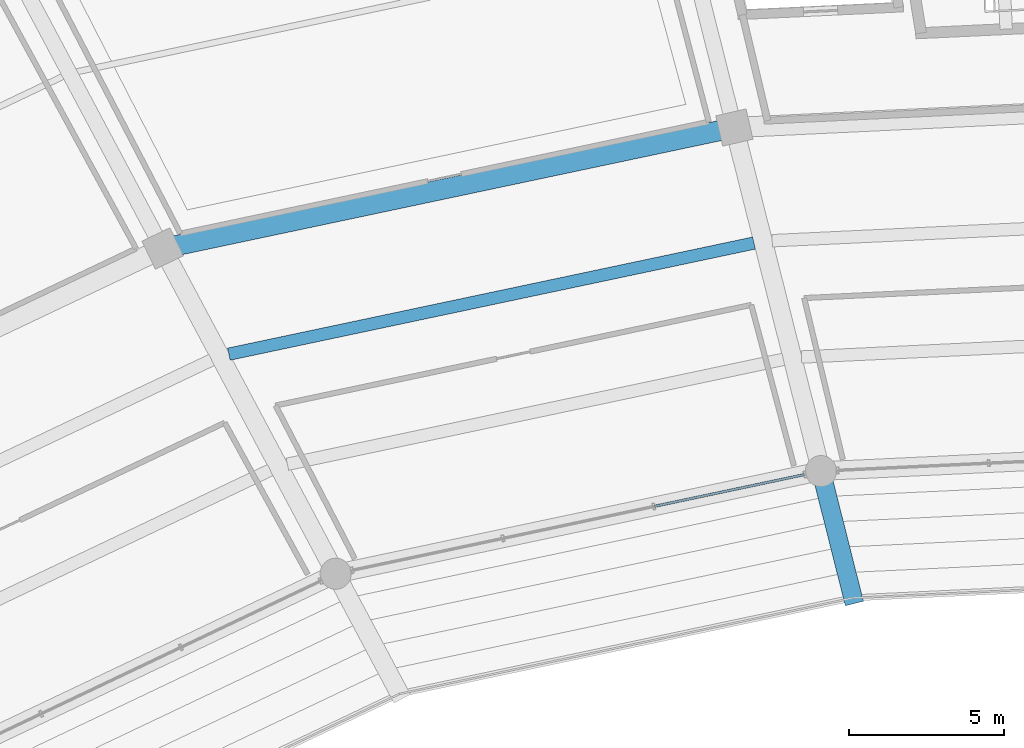
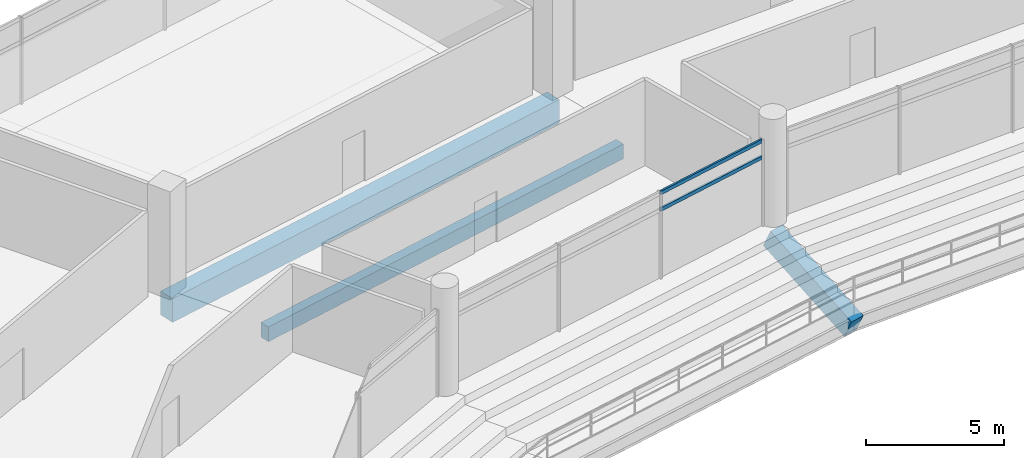
# One storey, part 92 of 171: 3 beams, 2 members, 1 element without a shape of its own.
"""IFC4 building model written with IfcOpenShell, lengths in metres."""

import ifcopenshell
import ifcopenshell.guid

model = None  # the IFC model being written
_history = None  # IfcOwnerHistory: only IFC2X3 demands one
_inside = {}  # id of a spatial element -> (the spatial element, [elements in it])
_under = {}  # id of a project, library or spatial element -> (it, [spatial elements below it])
_declared = {}  # id of a project -> (the project, [libraries it declares])
_typed = {}  # id of a type object -> (the type object, [elements of that type])
_made_of = {}  # id of a material, layer set ... -> (it, [elements and type objects made of it])


def new_model(schema):
    """Start an empty IFC model of exactly this schema.

    Asked for "IFC4X3", IfcOpenShell would pick the latest addendum, in which some entities
    have other attributes; the version numbers below select the first issue.
    IFC2X3 requires an IfcOwnerHistory on every rooted entity: one is made here for all.
    """
    global model, _history
    if schema == "IFC4X3":
        model = ifcopenshell.file(schema_version=(4, 3, 0, 0))
    else:
        model = ifcopenshell.file(schema=schema)
    _inside.clear()
    _under.clear()
    _declared.clear()
    _typed.clear()
    _made_of.clear()
    _history = None
    if model.schema == "IFC2X3":
        org = make("IfcOrganization", Name="unknown")
        user = make(
            "IfcPersonAndOrganization",
            ThePerson=make("IfcPerson", FamilyName="unknown"),
            TheOrganization=org,
        )
        app = make(
            "IfcApplication",
            ApplicationDeveloper=org,
            Version="unknown",
            ApplicationFullName="unknown",
            ApplicationIdentifier="unknown",
        )
        _history = make(
            "IfcOwnerHistory",
            OwningUser=user,
            OwningApplication=app,
            ChangeAction="ADDED",
            CreationDate=0,
        )
    return model


def make(cls, **values):
    """One entity of the class cls with the attributes given. An attribute that is None is left unset."""
    return model.create_entity(
        cls, **{name: value for name, value in values.items() if value is not None}
    )


def rooted(cls, **values):
    """An entity with a GlobalId (a new one), such as an element, a storey or a relation."""
    return make(cls, GlobalId=ifcopenshell.guid.new(), OwnerHistory=_history, **values)


def si_unit(unit_type, name, prefix=None):
    """IfcSIUnit, for example si_unit("LENGTHUNIT", "METRE", prefix="MILLI")."""
    return make("IfcSIUnit", UnitType=unit_type, Prefix=prefix, Name=name)


def assignment(units):
    """IfcUnitAssignment: the units of a project."""
    return None if units is None else make("IfcUnitAssignment", Units=units)


def point(xyz):
    """IfcCartesianPoint."""
    return None if xyz is None else make("IfcCartesianPoint", Coordinates=xyz)


def direction(xyz):
    """IfcDirection."""
    return None if xyz is None else make("IfcDirection", DirectionRatios=xyz)


def frame(location, z_axis=None, x_axis=None):
    """IfcAxis2Placement3D, a coordinate frame: its origin and axes. An axis left out is left unset."""
    return make(
        "IfcAxis2Placement3D",
        Location=point(location),
        Axis=direction(z_axis),
        RefDirection=direction(x_axis),
    )


def frame_2d(location, x_axis=None):
    """IfcAxis2Placement2D, a coordinate frame in the plane: its origin and x axis."""
    return make(
        "IfcAxis2Placement2D", Location=point(location), RefDirection=direction(x_axis)
    )


def origin():
    """The frame at (0, 0, 0) with its axes left unset."""
    return frame((0.0, 0.0, 0.0))


def origin_2d():
    """The frame at (0, 0) in the plane with its x axis left unset."""
    return frame_2d((0.0, 0.0))


def place(relative_to, where):
    """IfcLocalPlacement: puts the frame where relative to a parent placement (None: the world)."""
    return make(
        "IfcLocalPlacement", PlacementRelTo=relative_to, RelativePlacement=where
    )


def context(
    kind, dimensions, precision=None, world=None, true_north=None, identifier=None
):
    """IfcGeometricRepresentationContext, for example the 3D "Model" context."""
    return make(
        "IfcGeometricRepresentationContext",
        ContextIdentifier=identifier,
        ContextType=kind,
        CoordinateSpaceDimension=dimensions,
        Precision=precision,
        WorldCoordinateSystem=world,
        TrueNorth=true_north,
    )


def subcontext(parent, identifier, kind, view, scale=None):
    """IfcGeometricRepresentationSubContext, for example "Body" below "Model"."""
    return make(
        "IfcGeometricRepresentationSubContext",
        ContextIdentifier=identifier,
        ContextType=kind,
        ParentContext=parent,
        TargetScale=scale,
        TargetView=view,
    )


def project(units=None, contexts=None):
    """IfcProject with its units and contexts."""
    return rooted(
        "IfcProject",
        Name="project",
        RepresentationContexts=contexts,
        UnitsInContext=assignment(units),
    )


def spatial(cls, under=None, at=None, **own):
    """A site, building, storey or space (cls), placed at a placement, below another one or the project."""
    s = rooted(cls, ObjectPlacement=at, **own)
    if under is not None:
        _under.setdefault(under.id(), (under, []))[1].append(s)
    return s


def profile(cls, at=None, kind="AREA", **sizes):
    """A parametric profile (cls). Its sizes go by their IFC names, for example OverallWidth=200.0."""
    return make(cls, ProfileType=kind, Position=at, **sizes)


def rectangle(**sizes):
    """IfcRectangleProfileDef."""
    return profile("IfcRectangleProfileDef", **sizes)


def hollow_rectangle(**sizes):
    """IfcRectangleHollowProfileDef."""
    return profile("IfcRectangleHollowProfileDef", **sizes)


def extrude(swept, where, along, depth):
    """IfcExtrudedAreaSolid: the profile swept, set in the frame where, extruded along a direction by depth."""
    return make(
        "IfcExtrudedAreaSolid",
        SweptArea=swept,
        Position=where,
        ExtrudedDirection=direction(along),
        Depth=depth,
    )


def shape(context_of_items, identifier, shape_type, items):
    """IfcShapeRepresentation: the items that make up one representation, for example the "Body"."""
    return make(
        "IfcShapeRepresentation",
        ContextOfItems=context_of_items,
        RepresentationIdentifier=identifier,
        RepresentationType=shape_type,
        Items=items,
    )


def material(Name=None, Category=None):
    """IfcMaterial."""
    return make("IfcMaterial", Name=Name, Category=Category)


def layer(
    of_material, thickness, ventilated=None, Name=None, Category=None, Priority=None
):
    """IfcMaterialLayer: one layer of a wall or slab, of a material (None: an air gap)."""
    return make(
        "IfcMaterialLayer",
        Material=of_material,
        LayerThickness=thickness,
        IsVentilated=ventilated,
        Name=Name,
        Category=Category,
        Priority=Priority,
    )


def layer_set(layers, Name=None):
    """IfcMaterialLayerSet."""
    return make("IfcMaterialLayerSet", MaterialLayers=layers, LayerSetName=Name)


def material_profile(
    of_material, cross_section, Name=None, Category=None, Priority=None
):
    """IfcMaterialProfile: a cross section and its material."""
    return make(
        "IfcMaterialProfile",
        Name=Name,
        Material=of_material,
        Profile=cross_section,
        Priority=Priority,
        Category=Category,
    )


def profile_set(profiles, Name=None, composite=None):
    """IfcMaterialProfileSet."""
    return make(
        "IfcMaterialProfileSet",
        Name=Name,
        MaterialProfiles=profiles,
        CompositeProfile=composite,
    )


def made_of(thing, what):
    """Note that an element or type object is made of a material, layer set ...; save() writes the relation."""
    if what is not None:
        _made_of.setdefault(what.id(), (what, []))[1].append(thing)
    return thing


def type_object(cls, material=None, **own):
    """A type object (cls), such as IfcWallType, which elements share."""
    return made_of(rooted(cls, **own), material)


def element(
    cls,
    number,
    at=None,
    inside=None,
    cuts=None,
    type_object=None,
    material=None,
    context=None,
    identifier="Body",
    shape_type=None,
    held_by="IfcProductDefinitionShape",
    body=None,
    shapes=None,
    **own,
):
    """One element of the class cls, such as IfcWall. Its Tag is "e" and its number.

    at: its placement. inside: the storey or other place that contains it. cuts: it is an
    opening in that element (IfcRelVoidsElement). A single representation is given by context,
    identifier, shape_type and body (its items); several are given by shapes. held_by: the class
    of the entity that holds the representations. save() writes the other relations.
    """
    e = rooted(cls, Tag="e%d" % number, ObjectPlacement=at, **own)
    if body is not None:
        shapes = [shape(context, identifier, shape_type, body)]
    if shapes is not None:
        e.Representation = make(held_by, Representations=shapes)
    if inside is not None:
        _inside.setdefault(inside.id(), (inside, []))[1].append(e)
    if cuts is not None:
        rooted(
            "IfcRelVoidsElement", RelatingBuildingElement=cuts, RelatedOpeningElement=e
        )
    if type_object is not None:
        _typed.setdefault(type_object.id(), (type_object, []))[1].append(e)
    return made_of(e, material)


def aggregate(whole, parts):
    """IfcRelAggregates: a whole, such as a stair, and the parts it consists of."""
    return rooted("IfcRelAggregates", RelatingObject=whole, RelatedObjects=parts)


def save(model, path):
    """Write the relations noted so far, then the file.

    IfcRelAggregates (storeys below a building ...), IfcRelContainedInSpatialStructure (elements
    in a storey), IfcRelDefinesByType, IfcRelAssociatesMaterial and IfcRelDeclares: one each for
    every whole, place, type object, material and project.
    """
    for whole, parts in _under.values():
        aggregate(whole, parts)
    for where, things in _inside.values():
        rooted(
            "IfcRelContainedInSpatialStructure",
            RelatedElements=things,
            RelatingStructure=where,
        )
    for kind, things in _typed.values():
        rooted("IfcRelDefinesByType", RelatedObjects=things, RelatingType=kind)
    for what, things in _made_of.values():
        rooted("IfcRelAssociatesMaterial", RelatedObjects=things, RelatingMaterial=what)
    for by, libraries in _declared.values():
        rooted("IfcRelDeclares", RelatingContext=by, RelatedDefinitions=libraries)
    model.write(path)


model = new_model("IFC4")

# Units and contexts
model_context = context("Model", 3, precision=1e-05, world=origin(), true_north=direction((0.0, 1.0)))
body_context = subcontext(model_context, "Body", "Model", "MODEL_VIEW")
ifc_project = project(units=[si_unit("LENGTHUNIT", "METRE"), si_unit("AREAUNIT", "SQUARE_METRE"), si_unit("VOLUMEUNIT", "CUBIC_METRE"), si_unit("PLANEANGLEUNIT", "RADIAN"), si_unit("MASSUNIT", "GRAM", prefix="KILO")], contexts=[model_context])

# Site, building, storey
site_placement = place(None, origin())
site = spatial("IfcSite", under=ifc_project, at=site_placement, CompositionType="ELEMENT")
building_placement = place(site_placement, origin())
building = spatial("IfcBuilding", under=site, at=building_placement, Name="Kazemori Nagisa Stadium", CompositionType="ELEMENT")
storey_placement = place(building_placement, frame((0.0, 0.0, 15.639892578125)))
storey = spatial("IfcBuildingStorey", under=building, at=storey_placement, Name="L03", CompositionType="ELEMENT", Elevation=15.639892578125)

# Beams
ifc_material_1 = material(Name="Concrete C40/50 (Fc42)", Category="concrete")
ifc_material_profile_1 = material_profile(ifc_material_1, rectangle(XDim=0.64990234375, YDim=1.050048828125, at=origin_2d()), Name="RC-BM-650x1050")
ifc_profile_set_1 = profile_set([ifc_material_profile_1], Name="Concrete C40/50 (Fc42)")
beam_type_1 = type_object("IfcBeamType", Name="Beam_BG-RC650X1050", PredefinedType="BEAM", material=ifc_profile_set_1)
beam_1_placement = place(storey_placement, frame((104.572265625, 175.088623046875, -0.784912109375), z_axis=(-0.978345149833, -0.206980114499, 0.0), x_axis=(0.206980114499, -0.978345149833, 0.0)))
element("IfcBeam", 1, at=beam_1_placement, inside=storey, type_object=beam_type_1, Name="Ring girder BG-RC650X1050 L03 R2-09", PredefinedType="BEAM", context=body_context, shape_type="SweptSolid", body=[
    extrude(rectangle(XDim=0.64990234375, YDim=1.050048828125, at=origin_2d()), origin(), (0.0, 0.0, 1.0), 18.791259765625),
])
ifc_material_profile_2 = material_profile(ifc_material_1, rectangle(XDim=0.39990234375, YDim=0.64990234375, at=origin_2d()), Name="RC-BM-400x650")
ifc_profile_set_2 = profile_set([ifc_material_profile_2], Name="Concrete C40/50 (Fc42)")
beam_type_2 = type_object("IfcBeamType", Name="Beam_BJ-RC400X650", PredefinedType="JOIST", material=ifc_profile_set_2)
beam_2_placement = place(storey_placement, frame((105.205078125, 171.373291015625, -0.5849609375), z_axis=(-0.97834325925, -0.206989050628, 0.0), x_axis=(0.206989050628, -0.97834325925, 0.0)))
element("IfcBeam", 2, at=beam_2_placement, inside=storey, type_object=beam_type_2, Name="Concourse joist BJ-RC400X650 L03 B09-2", PredefinedType="JOIST", context=body_context, shape_type="SweptSolid", body=[
    extrude(rectangle(XDim=0.39990234375, YDim=0.64990234375, at=origin_2d()), origin(), (0.0, 0.0, 1.0), 17.26171875),
])
ifc_material_profile_3 = material_profile(ifc_material_1, rectangle(XDim=0.60009765625, YDim=0.89990234375, at=origin_2d()), Name="RC-RK-600x900")
ifc_profile_set_3 = profile_set([ifc_material_profile_3], Name="Concrete C40/50 (Fc42)")
beam_type_3 = type_object("IfcBeamType", Name="Beam_RK-RC600X900", PredefinedType="USERDEFINED", material=ifc_profile_set_3)
beam_3_placement = place(storey_placement, frame((108.38623046875, 159.9609375, -2.58984375), z_axis=(-0.222769492594, 0.883726365563, 0.411584091017), x_axis=(-0.969666141927, -0.244433167143, 0.0)))
element("IfcBeam", 3, at=beam_3_placement, inside=storey, type_object=beam_type_3, Name="Raker beam club RK2-09", ObjectType="RAKER BEAM", PredefinedType="USERDEFINED", context=body_context, shape_type="SweptSolid", body=[
    extrude(rectangle(XDim=0.60009765625, YDim=0.89990234375, at=origin_2d()), origin(), (0.0, 0.0, 1.0), 4.615966796875),
])

# Curtain wall, members
ifc_material_2 = material(Name="Anodised aluminium 6063-T5", Category="aluminium")
ifc_layer = layer(ifc_material_2, 0.2099609375, Name="Anodised aluminium 6063-T5", Category="aluminium")
ifc_layer_set = layer_set([ifc_layer], Name="Anodised aluminium 6063-T5")
curtain_wall_type = type_object("IfcCurtainWallType", Name="CW_L03B_75", PredefinedType="USERDEFINED", material=ifc_layer_set)
curtain_wall_placement = place(storey_placement, origin())
curtain_wall = element("IfcCurtainWall", 4, at=curtain_wall_placement, inside=storey, type_object=curtain_wall_type, Name="Unitised curtain wall CW-L03B-75 L03", ObjectType="UNITISED CURTAIN WALL", PredefinedType="USERDEFINED")
ifc_material_3 = material(Name="Aluminium 6063-T5 anodised", Category="aluminium")
ifc_material_profile_4 = material_profile(ifc_material_3, hollow_rectangle(XDim=0.080078125, YDim=0.159912109375, WallThickness=0.00390625, at=origin_2d()), Name="ALU-TRAN-80x160x4")
ifc_profile_set_4 = profile_set([ifc_material_profile_4], Name="Aluminium 6063-T5 anodised")
member_type = type_object("IfcMemberType", Name="Transom_T02", PredefinedType="USERDEFINED", material=ifc_profile_set_4)
member_1_placement = place(storey_placement, frame((106.814697265625, 163.925537109375, 3.010009765625), z_axis=(-0.978346611518, -0.206973205348, 0.0), x_axis=(0.206973205348, -0.978346611518, 0.0)))
member_1 = element("IfcMember", 5, at=member_1_placement, type_object=member_type, Name="Curtain wall transom CW-L03B-75-T1-mid", ObjectType="TRANSOM", PredefinedType="USERDEFINED", context=body_context, shape_type="SweptSolid", body=[
    extrude(hollow_rectangle(XDim=0.080078125, YDim=0.159912109375, WallThickness=0.00390625, at=origin_2d()), origin(), (0.0, 0.0, 1.0), 4.919921875),
])
member_2_placement = place(storey_placement, frame((106.814697265625, 163.925537109375, 3.739990234375), z_axis=(-0.978346611518, -0.206973205348, 0.0), x_axis=(0.206973205348, -0.978346611518, 0.0)))
member_2 = element("IfcMember", 6, at=member_2_placement, type_object=member_type, Name="Curtain wall transom CW-L03B-75-T1-head", ObjectType="TRANSOM", PredefinedType="USERDEFINED", context=body_context, shape_type="SweptSolid", body=[
    extrude(hollow_rectangle(XDim=0.080078125, YDim=0.159912109375, WallThickness=0.00390625, at=origin_2d()), origin(), (0.0, 0.0, 1.0), 4.919921875),
])
aggregate(curtain_wall, [member_1, member_2])

save(model, "model.ifc")
